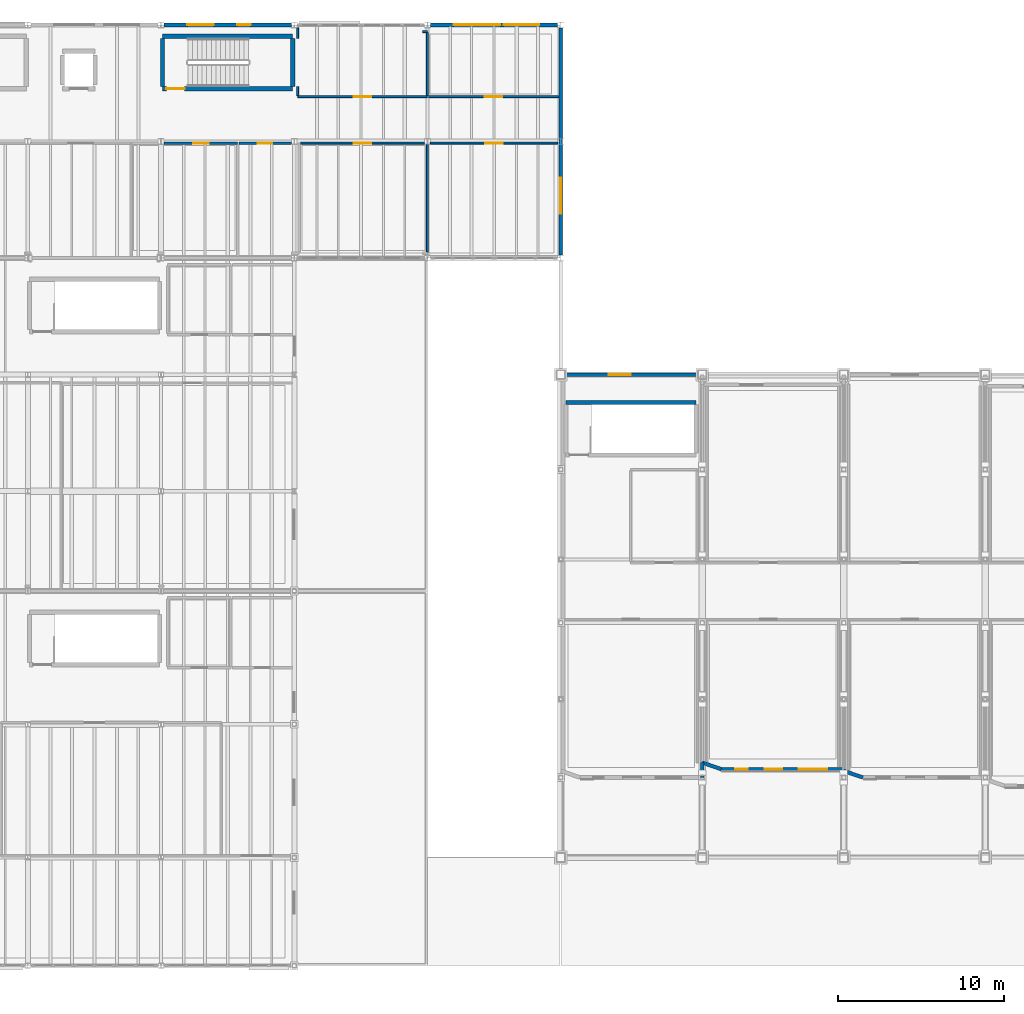
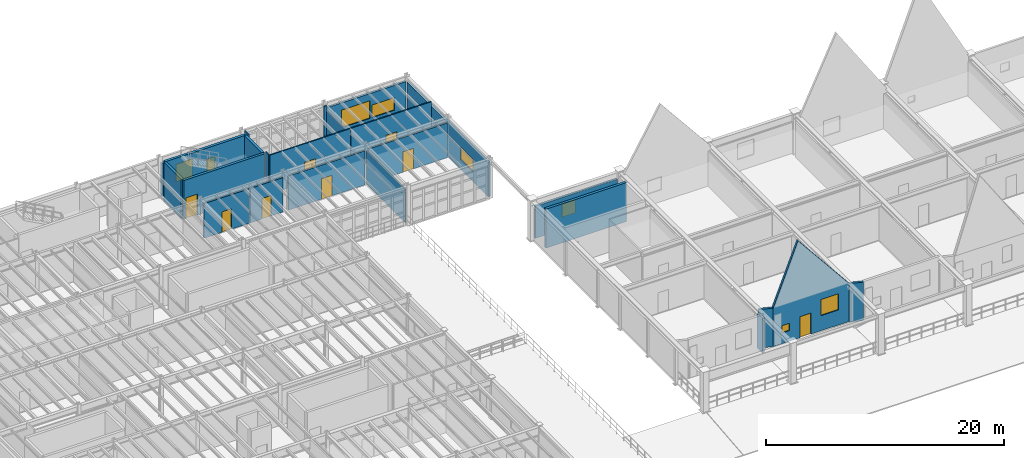
# One storey, part 62 of 78: 24 walls, 8 doors, 8 windows, 16 openings.
"""IFC4 building model written with IfcOpenShell, lengths in metres."""

from ifc_helpers import new_model, si_unit, direction, frame, frame_2d, origin, place, context, subcontext, project, spatial, polyline, rectangle, outline, extrude, material, layer, layer_set, type_object, element, fill, save


model = new_model("IFC4")

# Units and contexts
model_context = context("Model", 3, precision=1e-05, world=origin(), true_north=direction((0.0, 1.0)))
body_context = subcontext(model_context, "Body", "Model", "MODEL_VIEW")
ifc_project = project(units=[si_unit("LENGTHUNIT", "METRE"), si_unit("AREAUNIT", "SQUARE_METRE"), si_unit("VOLUMEUNIT", "CUBIC_METRE"), si_unit("PLANEANGLEUNIT", "RADIAN"), si_unit("MASSUNIT", "GRAM", prefix="KILO"), si_unit("THERMODYNAMICTEMPERATUREUNIT", "KELVIN"), si_unit("POWERUNIT", "WATT")], contexts=[model_context])

# Site, building, storey
site_placement = place(None, origin())
site = spatial("IfcSite", under=ifc_project, at=site_placement, CompositionType="ELEMENT")
building_placement = place(site_placement, origin())
building = spatial("IfcBuilding", under=site, at=building_placement, Name="Zhenchuan Central Fire Station", CompositionType="ELEMENT")
storey_placement = place(building_placement, frame((0.0, 0.0, 5.85009765625)))
storey = spatial("IfcBuildingStorey", under=building, at=storey_placement, Name="L02", CompositionType="ELEMENT", Elevation=5.85009765625)

# Wall, opening, window
ifc_material_1 = material(Name="Precast concrete C40/50", Category="concrete")
ifc_layer_1 = layer(ifc_material_1, 0.219970703125, Name="Precast concrete C40/50", Category="concrete")
ifc_layer_set_1 = layer_set([ifc_layer_1], Name="Precast concrete C40/50")
wall_type_1 = type_object("IfcWallType", Name="EW-PRC220", PredefinedType="SOLIDWALL", material=ifc_layer_set_1)
wall_1_placement = place(storey_placement, frame((56.27490234375, 35.5, 0.0), z_axis=(0.0, 0.0, 1.0), x_axis=(1.0, 0.0, 0.0)))
wall_1 = element("IfcWall", 1, at=wall_1_placement, inside=storey, type_object=wall_type_1, Name="Pavilion H01 North Lower Wall", PredefinedType="SOLIDWALL", context=body_context, shape_type="SweptSolid", body=[
    extrude(rectangle(XDim=7.9501953125, YDim=0.219970703125, at=frame_2d((3.97509765625, 0.0))), origin(), (0.0, 0.0, 1.0), 3.2939453125),
])
opening_1_placement = place(wall_1_placement, frame((2.60009765625, 0.0, 1.199951171875)))
opening_1 = element("IfcOpeningElement", 2, at=opening_1_placement, cuts=wall_1, Name="Opening W-08", PredefinedType="OPENING", context=body_context, shape_type="SweptSolid", body=[
    extrude(rectangle(XDim=1.35009765625, YDim=1.35009765625, at=frame_2d((0.675048828125, 0.675048828125))), frame((0.0, 0.119873046875, 0.0), z_axis=(0.0, -1.0, 0.0), x_axis=(1.0, 0.0, 0.0)), (0.0, 0.0, 1.0), 0.239990234375),
])
ifc_material_2 = material(Name="Laminated low-E double glazing in aluminium frame", Category="aluminium")
window_type_1 = type_object("IfcWindowType", Name="WN-08", PartitioningType="SINGLE_PANEL", PredefinedType="WINDOW", material=ifc_material_2)
window_1_placement = place(opening_1_placement, origin())
window_1 = element("IfcWindow", 3, at=window_1_placement, inside=storey, type_object=window_type_1, Name="Exterior Window 0008", OverallHeight=1.35009765625, OverallWidth=1.35009765625, PartitioningType="SINGLE_PANEL", PredefinedType="WINDOW", context=body_context, shape_type="SweptSolid", body=[
    extrude(rectangle(XDim=1.35009765625, YDim=1.35009765625, at=frame_2d((0.675048828125, 0.675048828125))), frame((0.0, 0.030029296875, 0.0), z_axis=(0.0, -1.0, 0.0), x_axis=(1.0, 0.0, 0.0)), (0.0, 0.0, 1.0), 0.06005859375),
])
fill(opening_1, window_1)

# Wall
wall_2_placement = place(storey_placement, frame((64.5, 11.31005859375, 0.0), z_axis=(0.0, 0.0, 1.0), x_axis=(0.0, 1.0, 0.0)))
element("IfcWall", 4, at=wall_2_placement, inside=storey, type_object=wall_type_1, Name="Pavilion H02 South Setback Return Wall", PredefinedType="SOLIDWALL", context=body_context, shape_type="SweptSolid", body=[
    extrude(rectangle(XDim=0.8798828125, YDim=0.219970703125, at=frame_2d((0.43994140625, 0.0))), origin(), (0.0, 0.0, 1.0), 3.58984375),
])

# Wall, openings, door, windows
wall_3_placement = place(storey_placement, frame((65.64990234375, 11.800048828125, 0.0), z_axis=(0.0, 0.0, 1.0), x_axis=(1.0, 0.0, 0.0)))
wall_3 = element("IfcWall", 5, at=wall_3_placement, inside=storey, type_object=wall_type_1, Name="Pavilion H02 South Gable Wall", PredefinedType="SOLIDWALL", context=body_context, shape_type="SweptSolid", body=[
    extrude(outline(polyline([(0.0, 0.0), (7.35009765625, 0.0), (7.35009765625, 3.949951171875), (2.419921875, 10.02001953125), (0.0, 3.949951171875), (0.0, 0.0)])), frame((0.0, 0.10986328125, 0.0), z_axis=(0.0, -1.0, 0.0), x_axis=(1.0, 0.0, 0.0)), (0.0, 0.0, 1.0), 0.219970703125),
])
opening_2_placement = place(wall_3_placement, frame((2.60009765625, 0.0, 0.0)))
opening_2 = element("IfcOpeningElement", 6, at=opening_2_placement, cuts=wall_3, Name="Opening TD-002", PredefinedType="OPENING", context=body_context, shape_type="SweptSolid", body=[
    extrude(rectangle(XDim=1.050048828125, YDim=2.14990234375, at=frame_2d((0.52490234375, 1.074951171875))), frame((0.0, 0.119873046875, 0.0), z_axis=(0.0, -1.0, 0.0), x_axis=(1.0, 0.0, 0.0)), (0.0, 0.0, 1.0), 0.239990234375),
])
opening_3_placement = place(wall_3_placement, frame((0.85009765625, 0.0, 1.10009765625)))
opening_3 = element("IfcOpeningElement", 7, at=opening_3_placement, cuts=wall_3, Name="Opening W-02", PredefinedType="OPENING", context=body_context, shape_type="SweptSolid", body=[
    extrude(rectangle(XDim=0.75, YDim=0.75, at=frame_2d((0.375, 0.375))), frame((0.0, 0.119873046875, 0.0), z_axis=(0.0, -1.0, 0.0), x_axis=(1.0, 0.0, 0.0)), (0.0, 0.0, 1.0), 0.239990234375),
])
opening_4_placement = place(wall_3_placement, frame((4.64990234375, 0.0, 1.550048828125)))
opening_4 = element("IfcOpeningElement", 8, at=opening_4_placement, cuts=wall_3, Name="Opening W-51", PredefinedType="OPENING", context=body_context, shape_type="SweptSolid", body=[
    extrude(rectangle(XDim=1.699951171875, YDim=1.64990234375, at=frame_2d((0.85009765625, 0.824951171875))), frame((0.0, 0.119873046875, 0.0), z_axis=(0.0, -1.0, 0.0), x_axis=(1.0, 0.0, 0.0)), (0.0, 0.0, 1.0), 0.239990234375),
])
ifc_material_3 = material(Name="Thermally broken aluminium terrace door", Category="aluminium")
door_type_1 = type_object("IfcDoorType", Name="ED-105x215", OperationType="NOTDEFINED", PredefinedType="DOOR", material=ifc_material_3)
door_1_placement = place(opening_2_placement, frame((1.050048828125, 0.0, 0.0), z_axis=(0.0, 0.0, 1.0), x_axis=(-1.0, 0.0, 0.0)))
door_1 = element("IfcDoor", 9, at=door_1_placement, inside=storey, type_object=door_type_1, Name="Pavilion H02 Terrace Door", OperationType="SINGLE_SWING_RIGHT", OverallHeight=2.14990234375, OverallWidth=1.050048828125, PredefinedType="DOOR", context=body_context, shape_type="SweptSolid", body=[
    extrude(rectangle(XDim=1.050048828125, YDim=2.14990234375, at=frame_2d((0.52490234375, 1.074951171875))), frame((0.0, 0.02490234375, 0.0), z_axis=(0.0, -1.0, 0.0), x_axis=(1.0, 0.0, 0.0)), (0.0, 0.0, 1.0), 0.050048828125),
])
fill(opening_2, door_1)
window_type_2 = type_object("IfcWindowType", Name="WN-02", PartitioningType="SINGLE_PANEL", PredefinedType="WINDOW", material=ifc_material_2)
window_2_placement = place(opening_3_placement, origin())
window_2 = element("IfcWindow", 10, at=window_2_placement, inside=storey, type_object=window_type_2, Name="Exterior Window 0009", OverallHeight=0.75, OverallWidth=0.75, PartitioningType="SINGLE_PANEL", PredefinedType="WINDOW", context=body_context, shape_type="SweptSolid", body=[
    extrude(rectangle(XDim=0.75, YDim=0.75, at=frame_2d((0.375, 0.375))), frame((0.0, 0.030029296875, 0.0), z_axis=(0.0, -1.0, 0.0), x_axis=(1.0, 0.0, 0.0)), (0.0, 0.0, 1.0), 0.06005859375),
])
fill(opening_3, window_2)
window_type_3 = type_object("IfcWindowType", Name="WN-51", PartitioningType="SINGLE_PANEL", PredefinedType="WINDOW", material=ifc_material_2)
window_3_placement = place(opening_4_placement, origin())
window_3 = element("IfcWindow", 11, at=window_3_placement, inside=storey, type_object=window_type_3, Name="Exterior Window 0010", OverallHeight=1.64990234375, OverallWidth=1.699951171875, PartitioningType="SINGLE_PANEL", PredefinedType="WINDOW", context=body_context, shape_type="SweptSolid", body=[
    extrude(rectangle(XDim=1.699951171875, YDim=1.64990234375, at=frame_2d((0.85009765625, 0.824951171875))), frame((0.0, 0.030029296875, 0.0), z_axis=(0.0, -1.0, 0.0), x_axis=(1.0, 0.0, 0.0)), (0.0, 0.0, 1.0), 0.06005859375),
])
fill(opening_4, window_3)

# Walls
for number, where, z_axis, x_axis, name in (
    (12, (64.5, 12.199951171875, 0.0), (0.0, 0.0, 1.0), (0.944513027611, -0.328473957373, 0.0), "Pavilion H02 Chamfer Wall"),
    (13, (73.0, 11.699951171875, 0.0), (0.0, 0.0, 1.0), (0.944513027611, -0.328473957373, 0.0), "Pavilion H03 Chamfer Wall"),
):
    element("IfcWall", number, at=place(storey_placement, frame(where, z_axis=z_axis, x_axis=x_axis)), inside=storey, type_object=wall_type_1, Name=name, PredefinedType="SOLIDWALL", context=body_context, shape_type="SweptSolid", body=[
        extrude(outline(polyline([(0.0, 0.0), (1.217529296875, 0.0), (1.217529296875, 3.949951171875), (0.0, 3.949951171875), (0.0, 0.0)])), frame((0.0, 0.10986328125, 0.0), z_axis=(0.0, -1.0, 0.0), x_axis=(1.0, 0.0, 0.0)), (0.0, 0.0, 1.0), 0.219970703125),
    ])

# Wall, opening, window
wall_4_placement = place(storey_placement, frame((56.0, 42.675048828125, 0.0), z_axis=(0.0, 0.0, 1.0), x_axis=(0.0, 1.0, 0.0)))
wall_4 = element("IfcWall", 14, at=wall_4_placement, inside=storey, type_object=wall_type_1, Name="EW-L02-V3E", PredefinedType="SOLIDWALL", context=body_context, shape_type="SweptSolid", body=[
    extrude(rectangle(XDim=13.64990234375, YDim=0.219970703125, at=frame_2d((6.824951171875, 0.0))), origin(), (0.0, 0.0, 1.0), 3.493896484375),
])
opening_5_placement = place(wall_4_placement, frame((2.5, 0.0, 1.0)))
opening_5 = element("IfcOpeningElement", 15, at=opening_5_placement, cuts=wall_4, Name="Opening W-45", PredefinedType="OPENING", context=body_context, shape_type="SweptSolid", body=[
    extrude(rectangle(XDim=2.14990234375, YDim=1.300048828125, at=frame_2d((1.074951171875, 0.64990234375))), frame((0.0, 0.119873046875, 0.0), z_axis=(0.0, -1.0, 0.0), x_axis=(1.0, 0.0, 0.0)), (0.0, 0.0, 1.0), 0.239990234375),
])
window_type_4 = type_object("IfcWindowType", Name="WN-45", PartitioningType="SINGLE_PANEL", PredefinedType="WINDOW", material=ifc_material_2)
window_4_placement = place(opening_5_placement, origin())
window_4 = element("IfcWindow", 16, at=window_4_placement, inside=storey, type_object=window_type_4, Name="Exterior Window 0063", OverallHeight=1.300048828125, OverallWidth=2.14990234375, PartitioningType="SINGLE_PANEL", PredefinedType="WINDOW", context=body_context, shape_type="SweptSolid", body=[
    extrude(rectangle(XDim=2.14990234375, YDim=1.300048828125, at=frame_2d((1.074951171875, 0.64990234375))), frame((0.0, 0.030029296875, 0.0), z_axis=(0.0, -1.0, 0.0), x_axis=(1.0, 0.0, 0.0)), (0.0, 0.0, 1.0), 0.06005859375),
])
fill(opening_5, window_4)

# Wall, openings, windows
wall_5_placement = place(storey_placement, frame((32.175048828125, 56.5, 0.0), z_axis=(0.0, 0.0, 1.0), x_axis=(1.0, 0.0, 0.0)))
wall_5 = element("IfcWall", 17, at=wall_5_placement, inside=storey, type_object=wall_type_1, Name="EW-L02-V3N-4", PredefinedType="SOLIDWALL", context=body_context, shape_type="SweptSolid", body=[
    extrude(rectangle(XDim=7.64990234375, YDim=0.219970703125, at=frame_2d((3.824951171875, 0.0))), origin(), (0.0, 0.0, 1.0), 3.393798828125),
])
opening_6_placement = place(wall_5_placement, frame((1.39990234375, 0.0, 0.949951171875)))
opening_6 = element("IfcOpeningElement", 18, at=opening_6_placement, cuts=wall_5, Name="Opening W-24", PredefinedType="OPENING", context=body_context, shape_type="SweptSolid", body=[
    extrude(rectangle(XDim=1.60009765625, YDim=1.800048828125, at=frame_2d((0.800048828125, 0.89990234375))), frame((0.0, 0.119873046875, 0.0), z_axis=(0.0, -1.0, 0.0), x_axis=(1.0, 0.0, 0.0)), (0.0, 0.0, 1.0), 0.239990234375),
])
opening_7_placement = place(wall_5_placement, frame((4.39990234375, 0.0, 0.949951171875)))
opening_7 = element("IfcOpeningElement", 19, at=opening_7_placement, cuts=wall_5, Name="Opening W-39", PredefinedType="OPENING", context=body_context, shape_type="SweptSolid", body=[
    extrude(rectangle(XDim=0.800048828125, YDim=1.300048828125, at=frame_2d((0.39990234375, 0.64990234375))), frame((0.0, 0.119873046875, 0.0), z_axis=(0.0, -1.0, 0.0), x_axis=(1.0, 0.0, 0.0)), (0.0, 0.0, 1.0), 0.239990234375),
])
window_type_5 = type_object("IfcWindowType", Name="WN-24", PartitioningType="SINGLE_PANEL", PredefinedType="WINDOW", material=ifc_material_2)
window_5_placement = place(opening_6_placement, origin())
window_5 = element("IfcWindow", 20, at=window_5_placement, inside=storey, type_object=window_type_5, Name="Exterior Window 0070", OverallHeight=1.800048828125, OverallWidth=1.60009765625, PartitioningType="SINGLE_PANEL", PredefinedType="WINDOW", context=body_context, shape_type="SweptSolid", body=[
    extrude(rectangle(XDim=1.60009765625, YDim=1.800048828125, at=frame_2d((0.800048828125, 0.89990234375))), frame((0.0, 0.030029296875, 0.0), z_axis=(0.0, -1.0, 0.0), x_axis=(1.0, 0.0, 0.0)), (0.0, 0.0, 1.0), 0.06005859375),
])
fill(opening_6, window_5)
window_type_6 = type_object("IfcWindowType", Name="WN-39", PartitioningType="SINGLE_PANEL", PredefinedType="WINDOW", material=ifc_material_2)
window_6_placement = place(opening_7_placement, origin())
window_6 = element("IfcWindow", 21, at=window_6_placement, inside=storey, type_object=window_type_6, Name="Exterior Window 0071", OverallHeight=1.300048828125, OverallWidth=0.800048828125, PartitioningType="SINGLE_PANEL", PredefinedType="WINDOW", context=body_context, shape_type="SweptSolid", body=[
    extrude(rectangle(XDim=0.800048828125, YDim=1.300048828125, at=frame_2d((0.39990234375, 0.64990234375))), frame((0.0, 0.030029296875, 0.0), z_axis=(0.0, -1.0, 0.0), x_axis=(1.0, 0.0, 0.0)), (0.0, 0.0, 1.0), 0.06005859375),
])
fill(opening_7, window_6)

wall_6_placement = place(storey_placement, frame((48.175048828125, 56.5, 0.0), z_axis=(0.0, 0.0, 1.0), x_axis=(1.0, 0.0, 0.0)))
wall_6 = element("IfcWall", 22, at=wall_6_placement, inside=storey, type_object=wall_type_1, Name="EW-L02-V3N-6", PredefinedType="SOLIDWALL", context=body_context, shape_type="SweptSolid", body=[
    extrude(rectangle(XDim=7.64990234375, YDim=0.219970703125, at=frame_2d((3.824951171875, 0.0))), origin(), (0.0, 0.0, 1.0), 3.493896484375),
])
opening_8_placement = place(wall_6_placement, frame((1.39990234375, 0.0, 0.949951171875)))
opening_8 = element("IfcOpeningElement", 23, at=opening_8_placement, cuts=wall_6, Name="Opening W-30", PredefinedType="OPENING", context=body_context, shape_type="SweptSolid", body=[
    extrude(rectangle(XDim=2.800048828125, YDim=1.800048828125, at=frame_2d((1.39990234375, 0.89990234375))), frame((0.0, 0.119873046875, 0.0), z_axis=(0.0, -1.0, 0.0), x_axis=(1.0, 0.0, 0.0)), (0.0, 0.0, 1.0), 0.239990234375),
])
opening_9_placement = place(wall_6_placement, frame((4.39990234375, 0.0, 0.949951171875)))
opening_9 = element("IfcOpeningElement", 24, at=opening_9_placement, cuts=wall_6, Name="Opening W-45", PredefinedType="OPENING", context=body_context, shape_type="SweptSolid", body=[
    extrude(rectangle(XDim=2.14990234375, YDim=1.300048828125, at=frame_2d((1.074951171875, 0.64990234375))), frame((0.0, 0.119873046875, 0.0), z_axis=(0.0, -1.0, 0.0), x_axis=(1.0, 0.0, 0.0)), (0.0, 0.0, 1.0), 0.239990234375),
])
window_type_7 = type_object("IfcWindowType", Name="WN-30", PartitioningType="SINGLE_PANEL", PredefinedType="WINDOW", material=ifc_material_2)
window_7_placement = place(opening_8_placement, origin())
window_7 = element("IfcWindow", 25, at=window_7_placement, inside=storey, type_object=window_type_7, Name="Exterior Window 0072", OverallHeight=1.800048828125, OverallWidth=2.800048828125, PartitioningType="SINGLE_PANEL", PredefinedType="WINDOW", context=body_context, shape_type="SweptSolid", body=[
    extrude(rectangle(XDim=2.800048828125, YDim=1.800048828125, at=frame_2d((1.39990234375, 0.89990234375))), frame((0.0, 0.030029296875, 0.0), z_axis=(0.0, -1.0, 0.0), x_axis=(1.0, 0.0, 0.0)), (0.0, 0.0, 1.0), 0.06005859375),
])
fill(opening_8, window_7)
window_8_placement = place(opening_9_placement, origin())
window_8 = element("IfcWindow", 26, at=window_8_placement, inside=storey, type_object=window_type_4, Name="Exterior Window 0073", OverallHeight=1.300048828125, OverallWidth=2.14990234375, PartitioningType="SINGLE_PANEL", PredefinedType="WINDOW", context=body_context, shape_type="SweptSolid", body=[
    extrude(rectangle(XDim=2.14990234375, YDim=1.300048828125, at=frame_2d((1.074951171875, 0.64990234375))), frame((0.0, 0.030029296875, 0.0), z_axis=(0.0, -1.0, 0.0), x_axis=(1.0, 0.0, 0.0)), (0.0, 0.0, 1.0), 0.06005859375),
])
fill(opening_9, window_8)

# Wall, opening, door
ifc_material_4 = material(Name="Autoclaved aerated concrete blockwork", Category="masonry")
ifc_layer_2 = layer(ifc_material_4, 0.14990234375, Name="Autoclaved aerated concrete blockwork", Category="masonry")
ifc_layer_set_2 = layer_set([ifc_layer_2], Name="Autoclaved aerated concrete blockwork")
wall_type_2 = type_object("IfcWallType", Name="IW-BLK150", PredefinedType="PARTITIONING", material=ifc_layer_set_2)
wall_7_placement = place(storey_placement, frame((32.177978515625, 49.39990234375, 0.0), z_axis=(0.0, 0.0, 1.0), x_axis=(1.0, 0.0, 0.0)))
wall_7 = element("IfcWall", 27, at=wall_7_placement, inside=storey, type_object=wall_type_2, Name="Crew Shower Room East N Partition 2", PredefinedType="PARTITIONING", context=body_context, shape_type="SweptSolid", body=[
    extrude(rectangle(XDim=4.422119140625, YDim=0.14990234375, at=frame_2d((2.2109375, 0.0))), origin(), (0.0, 0.0, 1.0), 3.5439453125),
])
opening_10_placement = place(wall_7_placement, frame((1.7509765625, 0.0, 0.0)))
opening_10 = element("IfcOpeningElement", 28, at=opening_10_placement, cuts=wall_7, Name="Opening D-134", PredefinedType="OPENING", context=body_context, shape_type="SweptSolid", body=[
    extrude(rectangle(XDim=0.919921875, YDim=2.10009765625, at=frame_2d((0.4599609375, 1.050048828125))), frame((0.0, 0.0849609375, 0.0), z_axis=(0.0, -1.0, 0.0), x_axis=(1.0, 0.0, 0.0)), (0.0, 0.0, 1.0), 0.169921875),
])
ifc_material_5 = material(Name="Moisture-resistant accessible WC door")
door_type_2 = type_object("IfcDoorType", Name="ID-WC-092x210", OperationType="NOTDEFINED", PredefinedType="DOOR", material=ifc_material_5)
door_2_placement = place(opening_10_placement, origin())
door_2 = element("IfcDoor", 29, at=door_2_placement, inside=storey, type_object=door_type_2, Name="Crew Shower Room East Door", OperationType="SINGLE_SWING_RIGHT", OverallHeight=2.10009765625, OverallWidth=0.919921875, PredefinedType="DOOR", context=body_context, shape_type="SweptSolid", body=[
    extrude(rectangle(XDim=0.919921875, YDim=2.10009765625, at=frame_2d((0.4599609375, 1.050048828125))), frame((0.0, 0.02490234375, 0.0), z_axis=(0.0, -1.0, 0.0), x_axis=(1.0, 0.0, 0.0)), (0.0, 0.0, 1.0), 0.050048828125),
])
fill(opening_10, door_2)

wall_8_placement = place(storey_placement, frame((36.677978515625, 49.39990234375, 0.0), z_axis=(0.0, 0.0, 1.0), x_axis=(1.0, 0.0, 0.0)))
wall_8 = element("IfcWall", 30, at=wall_8_placement, inside=storey, type_object=wall_type_2, Name="Crew Dormitory Accessible WC N Partition", PredefinedType="PARTITIONING", context=body_context, shape_type="SweptSolid", body=[
    extrude(rectangle(XDim=3.14404296875, YDim=0.14990234375, at=frame_2d((1.572021484375, 0.0))), origin(), (0.0, 0.0, 1.0), 3.5439453125),
])
opening_11_placement = place(wall_8_placement, frame((1.132080078125, 0.0, 0.0)))
opening_11 = element("IfcOpeningElement", 31, at=opening_11_placement, cuts=wall_8, Name="Opening D-135", PredefinedType="OPENING", context=body_context, shape_type="SweptSolid", body=[
    extrude(rectangle(XDim=0.8798828125, YDim=2.10009765625, at=frame_2d((0.43994140625, 1.050048828125))), frame((0.0, 0.0849609375, 0.0), z_axis=(0.0, -1.0, 0.0), x_axis=(1.0, 0.0, 0.0)), (0.0, 0.0, 1.0), 0.169921875),
])
ifc_material_6 = material(Name="Moisture-resistant washroom door")
door_type_3 = type_object("IfcDoorType", Name="ID-WC-088x210", OperationType="NOTDEFINED", PredefinedType="DOOR", material=ifc_material_6)
door_3_placement = place(opening_11_placement, origin())
door_3 = element("IfcDoor", 32, at=door_3_placement, inside=storey, type_object=door_type_3, Name="Crew Dormitory Accessible WC Door", OperationType="SINGLE_SWING_LEFT", OverallHeight=2.10009765625, OverallWidth=0.8798828125, PredefinedType="DOOR", context=body_context, shape_type="SweptSolid", body=[
    extrude(rectangle(XDim=0.8798828125, YDim=2.10009765625, at=frame_2d((0.43994140625, 1.050048828125))), frame((0.0, 0.02490234375, 0.0), z_axis=(0.0, -1.0, 0.0), x_axis=(1.0, 0.0, 0.0)), (0.0, 0.0, 1.0), 0.050048828125),
])
fill(opening_11, door_3)

ifc_material_7 = material(Name="Gypsum plasterboard on steel studs", Category="gypsum")
ifc_layer_3 = layer(ifc_material_7, 0.1201171875, Name="Gypsum plasterboard on steel studs", Category="gypsum")
ifc_layer_set_3 = layer_set([ifc_layer_3], Name="Gypsum plasterboard on steel studs")
wall_type_3 = type_object("IfcWallType", Name="IW-GYP120", PredefinedType="PARTITIONING", material=ifc_layer_set_3)
wall_9_placement = place(storey_placement, frame((40.3779296875, 49.39990234375, 0.0), z_axis=(0.0, 0.0, 1.0), x_axis=(1.0, 0.0, 0.0)))
wall_9 = element("IfcWall", 33, at=wall_9_placement, inside=storey, type_object=wall_type_3, Name="Crew Dormitory 03 N Partition", PredefinedType="PARTITIONING", context=body_context, shape_type="SweptSolid", body=[
    extrude(rectangle(XDim=7.444091796875, YDim=0.1201171875, at=frame_2d((3.72216796875, 0.0))), origin(), (0.0, 0.0, 1.0), 3.493896484375),
])
opening_12_placement = place(wall_9_placement, frame((3.197021484375, 0.0, 0.0)))
opening_12 = element("IfcOpeningElement", 34, at=opening_12_placement, cuts=wall_9, Name="Opening D-136", PredefinedType="OPENING", context=body_context, shape_type="SweptSolid", body=[
    extrude(rectangle(XDim=1.050048828125, YDim=2.10009765625, at=frame_2d((0.52490234375, 1.050048828125))), frame((0.0, 0.070068359375, 0.0), z_axis=(0.0, -1.0, 0.0), x_axis=(1.0, 0.0, 0.0)), (0.0, 0.0, 1.0), 0.14013671875),
])
ifc_material_8 = material(Name="Acoustic solid-core larch dormitory door", Category="wood")
door_type_4 = type_object("IfcDoorType", Name="ID-DRM-105x210", OperationType="NOTDEFINED", PredefinedType="DOOR", material=ifc_material_8)
door_4_placement = place(opening_12_placement, origin())
door_4 = element("IfcDoor", 35, at=door_4_placement, inside=storey, type_object=door_type_4, Name="Crew Dormitory 03 Door", OperationType="SINGLE_SWING_RIGHT", OverallHeight=2.10009765625, OverallWidth=1.050048828125, PredefinedType="DOOR", context=body_context, shape_type="SweptSolid", body=[
    extrude(rectangle(XDim=1.050048828125, YDim=2.10009765625, at=frame_2d((0.52490234375, 1.050048828125))), frame((0.0, 0.02490234375, 0.0), z_axis=(0.0, -1.0, 0.0), x_axis=(1.0, 0.0, 0.0)), (0.0, 0.0, 1.0), 0.050048828125),
])
fill(opening_12, door_4)

# Wall
wall_10_placement = place(storey_placement, frame((48.0, 42.863037109375, 0.0), z_axis=(0.0, 0.0, 1.0), x_axis=(0.0, 1.0, 0.0)))
element("IfcWall", 36, at=wall_10_placement, inside=storey, type_object=wall_type_3, Name="Crew Dormitory 03 E Partition", PredefinedType="PARTITIONING", context=body_context, shape_type="SweptSolid", body=[
    extrude(rectangle(XDim=6.458984375, YDim=0.1201171875, at=frame_2d((3.2294921875, 0.0))), origin(), (0.0, 0.0, 1.0), 3.44384765625),
])

# Wall, opening, door
wall_11_placement = place(storey_placement, frame((48.177978515625, 49.39990234375, 0.0), z_axis=(0.0, 0.0, 1.0), x_axis=(1.0, 0.0, 0.0)))
wall_11 = element("IfcWall", 37, at=wall_11_placement, inside=storey, type_object=wall_type_3, Name="Crew Dormitory 04 N Partition", PredefinedType="PARTITIONING", context=body_context, shape_type="SweptSolid", body=[
    extrude(rectangle(XDim=7.64404296875, YDim=0.1201171875, at=frame_2d((3.822021484375, 0.0))), origin(), (0.0, 0.0, 1.0), 3.553955078125),
])
opening_13_placement = place(wall_11_placement, frame((3.297119140625, 0.0, 0.0)))
opening_13 = element("IfcOpeningElement", 38, at=opening_13_placement, cuts=wall_11, Name="Opening D-137", PredefinedType="OPENING", context=body_context, shape_type="SweptSolid", body=[
    extrude(rectangle(XDim=1.050048828125, YDim=2.10009765625, at=frame_2d((0.52490234375, 1.050048828125))), frame((0.0, 0.070068359375, 0.0), z_axis=(0.0, -1.0, 0.0), x_axis=(1.0, 0.0, 0.0)), (0.0, 0.0, 1.0), 0.14013671875),
])
door_5_placement = place(opening_13_placement, origin())
door_5 = element("IfcDoor", 39, at=door_5_placement, inside=storey, type_object=door_type_4, Name="Crew Dormitory 04 Door", OperationType="SINGLE_SWING_LEFT", OverallHeight=2.10009765625, OverallWidth=1.050048828125, PredefinedType="DOOR", context=body_context, shape_type="SweptSolid", body=[
    extrude(rectangle(XDim=1.050048828125, YDim=2.10009765625, at=frame_2d((0.52490234375, 1.050048828125))), frame((0.0, 0.02490234375, 0.0), z_axis=(0.0, -1.0, 0.0), x_axis=(1.0, 0.0, 0.0)), (0.0, 0.0, 1.0), 0.050048828125),
])
fill(opening_13, door_5)

wall_12_placement = place(storey_placement, frame((40.199951171875, 52.199951171875, 0.0), z_axis=(0.0, 0.0, 1.0), x_axis=(1.0, 0.0, 0.0)))
wall_12 = element("IfcWall", 40, at=wall_12_placement, inside=storey, type_object=wall_type_3, Name="Crew Dormitory 05 S Partition", PredefinedType="PARTITIONING", context=body_context, shape_type="SweptSolid", body=[
    extrude(rectangle(XDim=7.800048828125, YDim=0.1201171875, at=frame_2d((3.89990234375, 0.0))), origin(), (0.0, 0.0, 1.0), 4.0),
])
opening_14_placement = place(wall_12_placement, frame((3.375, 0.0, 0.0)))
opening_14 = element("IfcOpeningElement", 41, at=opening_14_placement, cuts=wall_12, Name="Opening D-139", PredefinedType="OPENING", context=body_context, shape_type="SweptSolid", body=[
    extrude(rectangle(XDim=1.050048828125, YDim=2.10009765625, at=frame_2d((0.52490234375, 1.050048828125))), frame((0.0, 0.070068359375, 0.0), z_axis=(0.0, -1.0, 0.0), x_axis=(1.0, 0.0, 0.0)), (0.0, 0.0, 1.0), 0.14013671875),
])
door_6_placement = place(opening_14_placement, origin())
door_6 = element("IfcDoor", 42, at=door_6_placement, inside=storey, type_object=door_type_4, Name="Crew Dormitory 05 Door", OperationType="SINGLE_SWING_LEFT", OverallHeight=2.10009765625, OverallWidth=1.050048828125, PredefinedType="DOOR", context=body_context, shape_type="SweptSolid", body=[
    extrude(rectangle(XDim=1.050048828125, YDim=2.10009765625, at=frame_2d((0.52490234375, 1.050048828125))), frame((0.0, 0.02490234375, 0.0), z_axis=(0.0, -1.0, 0.0), x_axis=(1.0, 0.0, 0.0)), (0.0, 0.0, 1.0), 0.050048828125),
])
fill(opening_14, door_6)

# Walls
wall_13_placement = place(storey_placement, frame((47.702880859375, 56.10009765625, 0.0), z_axis=(0.0, 0.0, 1.0), x_axis=(1.0, 0.0, 0.0)))
element("IfcWall", 43, at=wall_13_placement, inside=storey, type_object=wall_type_3, Name="Crew Dormitory 05 N Partition", PredefinedType="PARTITIONING", context=body_context, shape_type="SweptSolid", body=[
    extrude(rectangle(XDim=0.297119140625, YDim=0.1201171875, at=frame_2d((0.1484375, 0.0))), origin(), (0.0, 0.0, 1.0), 4.0),
])
wall_14_placement = place(storey_placement, frame((40.199951171875, 52.262939453125, 0.0), z_axis=(0.0, 0.0, 1.0), x_axis=(0.0, 1.0, 0.0)))
element("IfcWall", 44, at=wall_14_placement, inside=storey, type_object=wall_type_3, Name="Crew Dormitory 05 W Partition 1", PredefinedType="PARTITIONING", context=body_context, shape_type="SweptSolid", body=[
    extrude(rectangle(XDim=0.5341796875, YDim=0.1201171875, at=frame_2d((0.26708984375, 0.0))), origin(), (0.0, 0.0, 1.0), 4.0),
])
wall_15_placement = place(storey_placement, frame((40.199951171875, 55.702880859375, 0.0), z_axis=(0.0, 0.0, 1.0), x_axis=(0.0, 1.0, 0.0)))
element("IfcWall", 45, at=wall_15_placement, inside=storey, type_object=wall_type_3, Name="Crew Dormitory 05 W Partition 2", PredefinedType="PARTITIONING", context=body_context, shape_type="SweptSolid", body=[
    extrude(rectangle(XDim=0.619140625, YDim=0.1201171875, at=frame_2d((0.3095703125, 0.0))), origin(), (0.0, 0.0, 1.0), 4.0),
])
wall_16_placement = place(storey_placement, frame((48.0, 52.262939453125, 0.0), z_axis=(0.0, 0.0, 1.0), x_axis=(0.0, 1.0, 0.0)))
element("IfcWall", 46, at=wall_16_placement, inside=storey, type_object=wall_type_3, Name="Crew Dormitory 05 E Partition", PredefinedType="PARTITIONING", context=body_context, shape_type="SweptSolid", body=[
    extrude(rectangle(XDim=3.774169921875, YDim=0.1201171875, at=frame_2d((1.88720703125, 0.0))), origin(), (0.0, 0.0, 1.0), 3.493896484375),
])

# Wall, opening, door
wall_17_placement = place(storey_placement, frame((48.06298828125, 52.199951171875, 0.0), z_axis=(0.0, 0.0, 1.0), x_axis=(1.0, 0.0, 0.0)))
wall_17 = element("IfcWall", 47, at=wall_17_placement, inside=storey, type_object=wall_type_3, Name="Duty Officer Dormitory 06 S Partition", PredefinedType="PARTITIONING", context=body_context, shape_type="SweptSolid", body=[
    extrude(rectangle(XDim=7.823974609375, YDim=0.1201171875, at=frame_2d((3.912109375, 0.0))), origin(), (0.0, 0.0, 1.0), 4.0),
])
opening_15_placement = place(wall_17_placement, frame((3.386962890625, 0.0, 0.0)))
opening_15 = element("IfcOpeningElement", 48, at=opening_15_placement, cuts=wall_17, Name="Opening D-140", PredefinedType="OPENING", context=body_context, shape_type="SweptSolid", body=[
    extrude(rectangle(XDim=1.050048828125, YDim=2.10009765625, at=frame_2d((0.52490234375, 1.050048828125))), frame((0.0, 0.070068359375, 0.0), z_axis=(0.0, -1.0, 0.0), x_axis=(1.0, 0.0, 0.0)), (0.0, 0.0, 1.0), 0.14013671875),
])
door_7_placement = place(opening_15_placement, origin())
door_7 = element("IfcDoor", 49, at=door_7_placement, inside=storey, type_object=door_type_4, Name="Duty Officer Dormitory 06 Door", OperationType="SINGLE_SWING_RIGHT", OverallHeight=2.10009765625, OverallWidth=1.050048828125, PredefinedType="DOOR", context=body_context, shape_type="SweptSolid", body=[
    extrude(rectangle(XDim=1.050048828125, YDim=2.10009765625, at=frame_2d((0.52490234375, 1.050048828125))), frame((0.0, 0.02490234375, 0.0), z_axis=(0.0, -1.0, 0.0), x_axis=(1.0, 0.0, 0.0)), (0.0, 0.0, 1.0), 0.050048828125),
])
fill(opening_15, door_7)

ifc_material_9 = material(Name="Concrete C40/50", Category="concrete")
ifc_layer_4 = layer(ifc_material_9, 0.25, Name="Concrete C40/50", Category="concrete")
ifc_layer_set_4 = layer_set([ifc_layer_4], Name="Concrete C40/50")
wall_type_4 = type_object("IfcWallType", Name="IW-SHR250", PredefinedType="SHEAR", material=ifc_layer_set_4)
wall_18_placement = place(storey_placement, frame((32.094970703125, 52.675048828125, 0.0), z_axis=(0.0, 0.0, 1.0), x_axis=(1.0, 0.0, 0.0)))
wall_18 = element("IfcWall", 50, at=wall_18_placement, inside=storey, type_object=wall_type_4, Name="ST-07 L02 South Core Wall", PredefinedType="SHEAR", context=body_context, shape_type="SweptSolid", body=[
    extrude(rectangle(XDim=7.81005859375, YDim=0.25, at=frame_2d((3.905029296875, 0.0))), origin(), (0.0, 0.0, 1.0), 4.0),
])
opening_16_placement = place(wall_18_placement, frame((0.219970703125, 0.0, 0.0)))
opening_16 = element("IfcOpeningElement", 51, at=opening_16_placement, cuts=wall_18, Name="Opening D-016", PredefinedType="OPENING", context=body_context, shape_type="SweptSolid", body=[
    extrude(rectangle(XDim=1.10009765625, YDim=2.14990234375, at=frame_2d((0.550048828125, 1.074951171875))), frame((0.0, 0.135009765625, 0.0), z_axis=(0.0, -1.0, 0.0), x_axis=(1.0, 0.0, 0.0)), (0.0, 0.0, 1.0), 0.27001953125),
])
ifc_material_10 = material(Name="Painted steel acoustic fire door", Category="steel")
door_type_5 = type_object("IfcDoorType", Name="ID-ST-110x215", OperationType="NOTDEFINED", PredefinedType="DOOR", material=ifc_material_10)
door_8_placement = place(opening_16_placement, frame((1.10009765625, 0.0, 0.0), z_axis=(0.0, 0.0, 1.0), x_axis=(-1.0, 0.0, 0.0)))
door_8 = element("IfcDoor", 52, at=door_8_placement, inside=storey, type_object=door_type_5, Name="ST-07 L02 Fire Door", OperationType="SINGLE_SWING_RIGHT", OverallHeight=2.14990234375, OverallWidth=1.10009765625, PredefinedType="DOOR", context=body_context, shape_type="SweptSolid", body=[
    extrude(rectangle(XDim=1.10009765625, YDim=2.14990234375, at=frame_2d((0.550048828125, 1.074951171875))), frame((0.0, 0.02490234375, 0.0), z_axis=(0.0, -1.0, 0.0), x_axis=(1.0, 0.0, 0.0)), (0.0, 0.0, 1.0), 0.050048828125),
])
fill(opening_16, door_8)

# Walls
wall_19_placement = place(storey_placement, frame((32.094970703125, 55.824951171875, 0.0), z_axis=(0.0, 0.0, 1.0), x_axis=(1.0, 0.0, 0.0)))
element("IfcWall", 53, at=wall_19_placement, inside=storey, type_object=wall_type_4, Name="ST-07 L02 North Core Wall", PredefinedType="SHEAR", context=body_context, shape_type="SweptSolid", body=[
    extrude(rectangle(XDim=7.81005859375, YDim=0.25, at=frame_2d((3.905029296875, 0.0))), origin(), (0.0, 0.0, 1.0), 4.0),
])
for number, where, z_axis, x_axis, name in (
    (54, (32.094970703125, 52.800048828125, 0.0), (0.0, 0.0, 1.0), (0.0, 1.0, 0.0), "ST-07 L02 West Core Wall"),
    (55, (39.905029296875, 52.800048828125, 0.0), (0.0, 0.0, 1.0), (0.0, 1.0, 0.0), "ST-07 L02 East Core Wall"),
):
    element("IfcWall", number, at=place(storey_placement, frame(where, z_axis=z_axis, x_axis=x_axis)), inside=storey, type_object=wall_type_4, Name=name, PredefinedType="SHEAR", context=body_context, shape_type="SweptSolid", body=[
        extrude(rectangle(XDim=2.89990234375, YDim=0.25, at=frame_2d((1.449951171875, 0.0))), origin(), (0.0, 0.0, 1.0), 4.0),
    ])
wall_20_placement = place(storey_placement, frame((56.324951171875, 33.824951171875, 0.0), z_axis=(0.0, 0.0, 1.0), x_axis=(1.0, 0.0, 0.0)))
element("IfcWall", 56, at=wall_20_placement, inside=storey, type_object=wall_type_4, Name="ST-08 L02 North Core Wall", PredefinedType="SHEAR", context=body_context, shape_type="SweptSolid", body=[
    extrude(rectangle(XDim=7.81005859375, YDim=0.25, at=frame_2d((3.905029296875, 0.0))), origin(), (0.0, 0.0, 1.0), 4.0),
])

save(model, "model.ifc")
